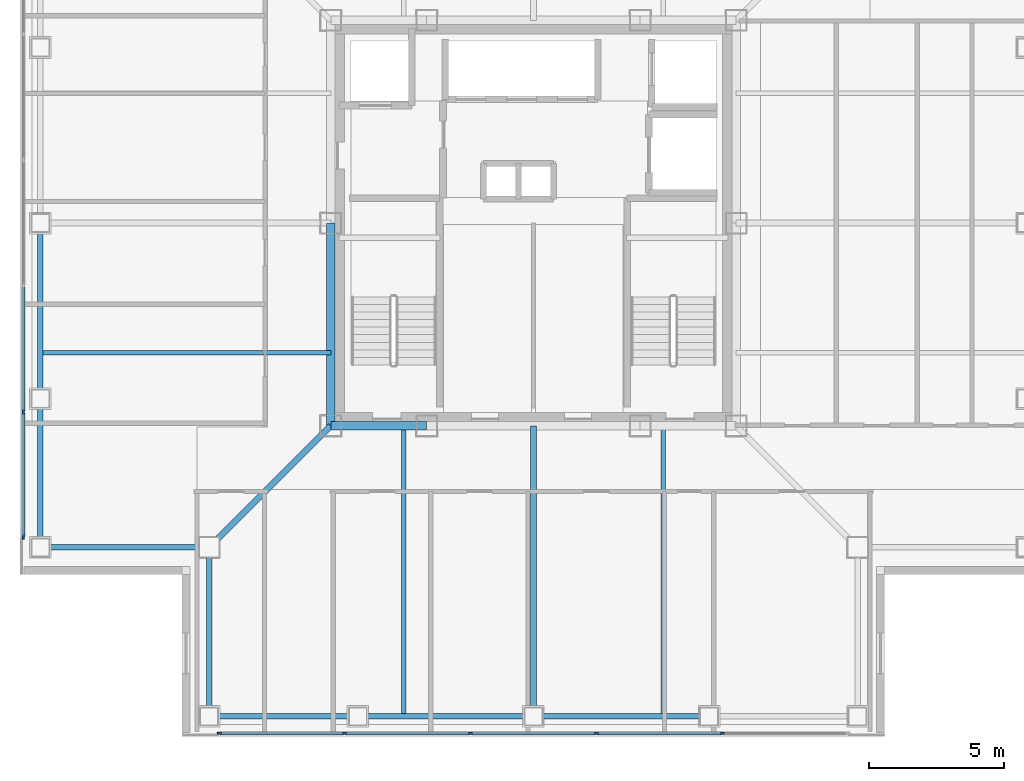
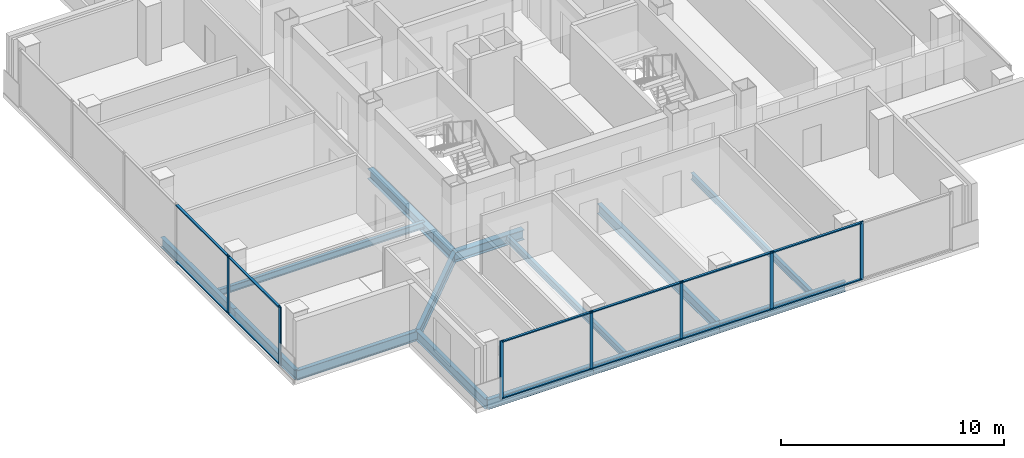
# One storey, part 2 of 16: 19 members, 14 beams, 2 elements without a shape of their own.
"""IFC4 building model written with IfcOpenShell, lengths in metres."""

from ifc_helpers import new_model, si_unit, direction, frame, origin, origin_2d, place, context, subcontext, project, spatial, rectangle, i_section, extrude, material, layer, layer_set, material_profile, profile_set, type_object, element, aggregate, save


model = new_model("IFC4")

# Units and contexts
model_context = context("Model", 3, precision=1e-05, world=origin(), true_north=direction((0.0, 1.0)))
body_context = subcontext(model_context, "Body", "Model", "MODEL_VIEW")
ifc_project = project(units=[si_unit("LENGTHUNIT", "METRE"), si_unit("AREAUNIT", "SQUARE_METRE"), si_unit("VOLUMEUNIT", "CUBIC_METRE"), si_unit("PLANEANGLEUNIT", "RADIAN"), si_unit("MASSUNIT", "GRAM", prefix="KILO")], contexts=[model_context])

# Site, building, storey
site_placement = place(None, origin())
site = spatial("IfcSite", under=ifc_project, at=site_placement, CompositionType="ELEMENT")
building_placement = place(site_placement, origin())
building = spatial("IfcBuilding", under=site, at=building_placement, Name="Trevonay Congress Spire", CompositionType="ELEMENT")
storey_placement = place(building_placement, frame((0.0, 0.0, 297.199951171875)))
storey = spatial("IfcBuildingStorey", under=building, at=storey_placement, Name="L78", CompositionType="ELEMENT", Elevation=297.199951171875)

# Beams
ifc_material_1 = material(Name="Steel ASTM A572 Grade 50", Category="steel")
ifc_material_profile_1 = material_profile(ifc_material_1, i_section(OverallWidth=0.2119140625, OverallDepth=0.5439453125, WebThickness=0.01318359375, FlangeThickness=0.021240234375, FilletRadius=0.014892578125, at=origin_2d()), Name="W530x123")
ifc_profile_set_1 = profile_set([ifc_material_profile_1], Name="Steel ASTM A572 Grade 50")
beam_type_1 = type_object("IfcBeamType", Name="BM-GIRD-W530X123", PredefinedType="BEAM", material=ifc_profile_set_1)
beam_1_placement = place(storey_placement, frame((-7.5, -7.5, -0.511962890625), z_axis=(-0.707106781187, -0.707106781187, 0.0), x_axis=(0.707106781187, -0.707106781187, 0.0)))
element("IfcBeam", 1, at=beam_1_placement, inside=storey, type_object=beam_type_1, Name="L78 structural beam BM-L78-CDSW", PredefinedType="BEAM", context=body_context, shape_type="SweptSolid", body=[
    extrude(i_section(OverallWidth=0.2119140625, OverallDepth=0.5439453125, WebThickness=0.01318359375, FlangeThickness=0.021240234375, FilletRadius=0.014892578125, at=origin_2d()), origin(), (0.0, 0.0, 1.0), 6.364013671875),
])
beam_2_placement = place(storey_placement, frame((0.0, -7.5, -0.511962890625), z_axis=(0.0, -1.0, 0.0), x_axis=(1.0, 0.0, 0.0)))
element("IfcBeam", 2, at=beam_2_placement, inside=storey, type_object=beam_type_1, Name="L78 structural beam BM-L78-GC-S", PredefinedType="BEAM", context=body_context, shape_type="SweptSolid", body=[
    extrude(i_section(OverallWidth=0.2119140625, OverallDepth=0.5439453125, WebThickness=0.01318359375, FlangeThickness=0.021240234375, FilletRadius=0.014892578125, at=origin_2d()), origin(), (0.0, 0.0, 1.0), 10.75),
])
ifc_material_profile_2 = material_profile(ifc_material_1, i_section(OverallWidth=0.31201171875, OverallDepth=0.54296875, WebThickness=0.0126953125, FlangeThickness=0.020263671875, FilletRadius=0.014892578125, at=origin_2d()), Name="W530x150")
ifc_profile_set_2 = profile_set([ifc_material_profile_2], Name="Steel ASTM A572 Grade 50")
beam_type_2 = type_object("IfcBeamType", Name="BM-GIRD-W530X150", PredefinedType="BEAM", material=ifc_profile_set_2)
beam_3_placement = place(storey_placement, frame((-7.5, -7.5, -0.511474609375), z_axis=(1.0, 0.0, 0.0), x_axis=(0.0, 1.0, 0.0)))
element("IfcBeam", 3, at=beam_3_placement, inside=storey, type_object=beam_type_2, Name="L78 structural beam BM-L78-CR-S1", PredefinedType="BEAM", context=body_context, shape_type="SweptSolid", body=[
    extrude(i_section(OverallWidth=0.31201171875, OverallDepth=0.54296875, WebThickness=0.0126953125, FlangeThickness=0.020263671875, FilletRadius=0.014892578125, at=origin_2d()), origin(), (0.0, 0.0, 1.0), 3.550048828125),
])
beam_4_placement = place(storey_placement, frame((-7.5, -7.5, -0.511474609375), z_axis=(0.0, 1.0, 0.0), x_axis=(-1.0, 0.0, 0.0)))
element("IfcBeam", 4, at=beam_4_placement, inside=storey, type_object=beam_type_2, Name="L78 structural beam BM-L78-CR-W1", PredefinedType="BEAM", context=body_context, shape_type="SweptSolid", body=[
    extrude(i_section(OverallWidth=0.31201171875, OverallDepth=0.54296875, WebThickness=0.0126953125, FlangeThickness=0.020263671875, FilletRadius=0.014892578125, at=origin_2d()), origin(), (0.0, 0.0, 1.0), 7.5),
])
ifc_material_profile_3 = material_profile(ifc_material_1, i_section(OverallWidth=0.208984375, OverallDepth=0.532958984375, WebThickness=0.01025390625, FlangeThickness=0.015625, FilletRadius=0.014892578125, at=origin_2d()), Name="W530x92")
ifc_profile_set_3 = profile_set([ifc_material_profile_3], Name="Steel ASTM A572 Grade 50")
beam_type_3 = type_object("IfcBeamType", Name="BM-RING-W530X92", PredefinedType="BEAM", material=ifc_profile_set_3)
for number, where, z_axis, x_axis, name in (
    (5, (-12.0, -18.25, -0.50634765625), (1.0, 0.0, 0.0), (0.0, 1.0, 0.0), "L78 structural beam BM-L78-PS1"),
    (6, (-18.25, -12.0, -0.50634765625), (0.0, 1.0, 0.0), (-1.0, 0.0, 0.0), "L78 structural beam BM-L78-PW1"),
):
    element("IfcBeam", number, at=place(storey_placement, frame(where, z_axis=z_axis, x_axis=x_axis)), inside=storey, type_object=beam_type_3, Name=name, PredefinedType="BEAM", context=body_context, shape_type="SweptSolid", body=[
        extrude(i_section(OverallWidth=0.208984375, OverallDepth=0.532958984375, WebThickness=0.01025390625, FlangeThickness=0.015625, FilletRadius=0.014892578125, at=origin_2d()), origin(), (0.0, 0.0, 1.0), 5.5),
    ])
for number, where, z_axis, x_axis, name in (
    (7, (-6.5, -18.25, -0.50634765625), (1.0, 0.0, 0.0), (0.0, 1.0, 0.0), "L78 structural beam BM-L78-PS2"),
    (8, (-18.25, -6.5, -0.50634765625), (0.0, 1.0, 0.0), (-1.0, 0.0, 0.0), "L78 structural beam BM-L78-PW2"),
    (9, (0.0, -18.25, -0.50634765625), (1.0, 0.0, 0.0), (0.0, 1.0, 0.0), "L78 structural beam BM-L78-PS3"),
):
    element("IfcBeam", number, at=place(storey_placement, frame(where, z_axis=z_axis, x_axis=x_axis)), inside=storey, type_object=beam_type_3, Name=name, PredefinedType="BEAM", context=body_context, shape_type="SweptSolid", body=[
        extrude(i_section(OverallWidth=0.208984375, OverallDepth=0.532958984375, WebThickness=0.01025390625, FlangeThickness=0.015625, FilletRadius=0.014892578125, at=origin_2d()), origin(), (0.0, 0.0, 1.0), 6.5),
    ])
for number, where, z_axis, x_axis, name in (
    (10, (-12.0, -18.25, -0.50634765625), (0.0, 1.0, 0.0), (-1.0, 0.0, 0.0), "L78 structural beam BM-L78-N1SW"),
    (11, (-18.25, -12.0, -0.50634765625), (1.0, 0.0, 0.0), (0.0, 1.0, 0.0), "L78 structural beam BM-L78-N2SW"),
):
    element("IfcBeam", number, at=place(storey_placement, frame(where, z_axis=z_axis, x_axis=x_axis)), inside=storey, type_object=beam_type_3, Name=name, PredefinedType="BEAM", context=body_context, shape_type="SweptSolid", body=[
        extrude(i_section(OverallWidth=0.208984375, OverallDepth=0.532958984375, WebThickness=0.01025390625, FlangeThickness=0.015625, FilletRadius=0.014892578125, at=origin_2d()), origin(), (0.0, 0.0, 1.0), 6.25),
    ])

# Curtain wall, members
ifc_material_2 = material(Name="Pale Anodised Aluminium EN AW-6063-T6", Category="aluminium")
ifc_layer = layer(ifc_material_2, 0.1650390625, Name="Pale Anodised Aluminium EN AW-6063-T6")
ifc_layer_set = layer_set([ifc_layer], Name="Pale Anodised Aluminium EN AW-6063-T6")
curtain_wall_type = type_object("IfcCurtainWallType", Name="CW-SYS05-DIPLOM-PALE-METAL", PredefinedType="NOTDEFINED", material=ifc_layer_set)
curtain_wall_1_placement = place(storey_placement, origin())
curtain_wall_1 = element("IfcCurtainWall", 12, at=curtain_wall_1_placement, inside=storey, type_object=curtain_wall_type, Name="L78 S unitised curtain wall", PredefinedType="NOTDEFINED")
ifc_material_profile_4 = material_profile(ifc_material_2, rectangle(XDim=0.06005859375, YDim=0.159912109375, at=origin_2d()), Name="CW-MULLION-160-ALUMINIUM")
ifc_profile_set_4 = profile_set([ifc_material_profile_4], Name="Pale Anodised Aluminium EN AW-6063-T6")
member_type_1 = type_object("IfcMemberType", Name="CW-MULLION-160-ALUMINIUM", PredefinedType="MULLION", material=ifc_profile_set_4)
member_1_placement = place(storey_placement, frame((-11.6201171875, -18.8798828125, 0.0), z_axis=(0.0, 0.0, 1.0), x_axis=(0.0, 1.0, 0.0)))
member_1 = element("IfcMember", 13, at=member_1_placement, type_object=member_type_1, Name="CW05 mullion 1", PredefinedType="MULLION", context=body_context, shape_type="SweptSolid", body=[
    extrude(rectangle(XDim=0.06005859375, YDim=0.159912109375, at=origin_2d()), origin(), (0.0, 0.0, 1.0), 3.199951171875),
])
member_2_placement = place(storey_placement, frame((-6.989990234375, -18.8798828125, 0.0), z_axis=(0.0, 0.0, 1.0), x_axis=(0.0, 1.0, 0.0)))
member_2 = element("IfcMember", 14, at=member_2_placement, type_object=member_type_1, Name="CW05 mullion 2", PredefinedType="MULLION", context=body_context, shape_type="SweptSolid", body=[
    extrude(rectangle(XDim=0.06005859375, YDim=0.159912109375, at=origin_2d()), origin(), (0.0, 0.0, 1.0), 3.199951171875),
])
member_3_placement = place(storey_placement, frame((-2.330078125, -18.8798828125, 0.0), z_axis=(0.0, 0.0, 1.0), x_axis=(0.0, 1.0, 0.0)))
member_3 = element("IfcMember", 15, at=member_3_placement, type_object=member_type_1, Name="CW05 mullion 3", PredefinedType="MULLION", context=body_context, shape_type="SweptSolid", body=[
    extrude(rectangle(XDim=0.06005859375, YDim=0.159912109375, at=origin_2d()), origin(), (0.0, 0.0, 1.0), 3.199951171875),
])
member_4_placement = place(storey_placement, frame((2.330078125, -18.8798828125, 0.0), z_axis=(0.0, 0.0, 1.0), x_axis=(0.0, 1.0, 0.0)))
member_4 = element("IfcMember", 16, at=member_4_placement, type_object=member_type_1, Name="CW05 mullion 4", PredefinedType="MULLION", context=body_context, shape_type="SweptSolid", body=[
    extrude(rectangle(XDim=0.06005859375, YDim=0.159912109375, at=origin_2d()), origin(), (0.0, 0.0, 1.0), 3.199951171875),
])
member_5_placement = place(storey_placement, frame((6.989990234375, -18.8798828125, 0.0), z_axis=(0.0, 0.0, 1.0), x_axis=(0.0, 1.0, 0.0)))
member_5 = element("IfcMember", 17, at=member_5_placement, type_object=member_type_1, Name="CW05 mullion 5", PredefinedType="MULLION", context=body_context, shape_type="SweptSolid", body=[
    extrude(rectangle(XDim=0.06005859375, YDim=0.159912109375, at=origin_2d()), origin(), (0.0, 0.0, 1.0), 3.199951171875),
])

curtain_wall_2_placement = place(storey_placement, origin())
curtain_wall_2 = element("IfcCurtainWall", 18, at=curtain_wall_2_placement, inside=storey, type_object=curtain_wall_type, Name="L78 W unitised curtain wall", PredefinedType="NOTDEFINED")
member_6_placement = place(storey_placement, frame((-18.8798828125, -11.6201171875, 0.0), z_axis=(0.0, 0.0, 1.0), x_axis=(-1.0, 0.0, 0.0)))
member_6 = element("IfcMember", 19, at=member_6_placement, type_object=member_type_1, Name="CW05 mullion 1", PredefinedType="MULLION", context=body_context, shape_type="SweptSolid", body=[
    extrude(rectangle(XDim=0.06005859375, YDim=0.159912109375, at=origin_2d()), origin(), (0.0, 0.0, 1.0), 3.199951171875),
])
member_7_placement = place(storey_placement, frame((-18.8798828125, -6.989990234375, 0.0), z_axis=(0.0, 0.0, 1.0), x_axis=(-1.0, 0.0, 0.0)))
member_7 = element("IfcMember", 20, at=member_7_placement, type_object=member_type_1, Name="CW05 mullion 2", PredefinedType="MULLION", context=body_context, shape_type="SweptSolid", body=[
    extrude(rectangle(XDim=0.06005859375, YDim=0.159912109375, at=origin_2d()), origin(), (0.0, 0.0, 1.0), 3.199951171875),
])

# Member
ifc_material_profile_5 = material_profile(ifc_material_2, rectangle(XDim=0.1201171875, YDim=0.06005859375, at=origin_2d()), Name="CW-TRANSOM-120-ALUMINIUM")
ifc_profile_set_5 = profile_set([ifc_material_profile_5], Name="Pale Anodised Aluminium EN AW-6063-T6")
member_type_2 = type_object("IfcMemberType", Name="CW-TRANSOM-120-ALUMINIUM", PredefinedType="USERDEFINED", material=ifc_profile_set_5)
member_8_placement = place(storey_placement, frame((-11.590087890625, -18.8798828125, 0.06005859375), z_axis=(1.0, 0.0, 0.0), x_axis=(0.0, 1.0, 0.0)))
member_8 = element("IfcMember", 21, at=member_8_placement, type_object=member_type_2, Name="CW05 transom 1.1", ObjectType="TRANSOM", PredefinedType="USERDEFINED", context=body_context, shape_type="SweptSolid", body=[
    extrude(rectangle(XDim=0.1201171875, YDim=0.06005859375, at=origin_2d()), origin(), (0.0, 0.0, 1.0), 4.570068359375),
])

member_9_placement = place(storey_placement, frame((-11.590087890625, -18.8798828125, 3.14013671875), z_axis=(1.0, 0.0, 0.0), x_axis=(0.0, 1.0, 0.0)))
member_9 = element("IfcMember", 22, at=member_9_placement, type_object=member_type_2, Name="CW05 transom 1.2", ObjectType="TRANSOM", PredefinedType="USERDEFINED", context=body_context, shape_type="SweptSolid", body=[
    extrude(rectangle(XDim=0.1201171875, YDim=0.06005859375, at=origin_2d()), origin(), (0.0, 0.0, 1.0), 4.570068359375),
])

member_10_placement = place(storey_placement, frame((-6.9599609375, -18.8798828125, 0.06005859375), z_axis=(1.0, 0.0, 0.0), x_axis=(0.0, 1.0, 0.0)))
member_10 = element("IfcMember", 23, at=member_10_placement, type_object=member_type_2, Name="CW05 transom 2.1", ObjectType="TRANSOM", PredefinedType="USERDEFINED", context=body_context, shape_type="SweptSolid", body=[
    extrude(rectangle(XDim=0.1201171875, YDim=0.06005859375, at=origin_2d()), origin(), (0.0, 0.0, 1.0), 4.599853515625),
])

member_11_placement = place(storey_placement, frame((-6.9599609375, -18.8798828125, 3.14013671875), z_axis=(1.0, 0.0, 0.0), x_axis=(0.0, 1.0, 0.0)))
member_11 = element("IfcMember", 24, at=member_11_placement, type_object=member_type_2, Name="CW05 transom 2.2", ObjectType="TRANSOM", PredefinedType="USERDEFINED", context=body_context, shape_type="SweptSolid", body=[
    extrude(rectangle(XDim=0.1201171875, YDim=0.06005859375, at=origin_2d()), origin(), (0.0, 0.0, 1.0), 4.599853515625),
])

member_12_placement = place(storey_placement, frame((-2.300048828125, -18.8798828125, 0.06005859375), z_axis=(1.0, 0.0, 0.0), x_axis=(0.0, 1.0, 0.0)))
member_12 = element("IfcMember", 25, at=member_12_placement, type_object=member_type_2, Name="CW05 transom 3.1", ObjectType="TRANSOM", PredefinedType="USERDEFINED", context=body_context, shape_type="SweptSolid", body=[
    extrude(rectangle(XDim=0.1201171875, YDim=0.06005859375, at=origin_2d()), origin(), (0.0, 0.0, 1.0), 4.60009765625),
])

member_13_placement = place(storey_placement, frame((-2.300048828125, -18.8798828125, 3.14013671875), z_axis=(1.0, 0.0, 0.0), x_axis=(0.0, 1.0, 0.0)))
member_13 = element("IfcMember", 26, at=member_13_placement, type_object=member_type_2, Name="CW05 transom 3.2", ObjectType="TRANSOM", PredefinedType="USERDEFINED", context=body_context, shape_type="SweptSolid", body=[
    extrude(rectangle(XDim=0.1201171875, YDim=0.06005859375, at=origin_2d()), origin(), (0.0, 0.0, 1.0), 4.60009765625),
])

member_14_placement = place(storey_placement, frame((2.360107421875, -18.8798828125, 0.06005859375), z_axis=(1.0, 0.0, 0.0), x_axis=(0.0, 1.0, 0.0)))
member_14 = element("IfcMember", 27, at=member_14_placement, type_object=member_type_2, Name="CW05 transom 4.1", ObjectType="TRANSOM", PredefinedType="USERDEFINED", context=body_context, shape_type="SweptSolid", body=[
    extrude(rectangle(XDim=0.1201171875, YDim=0.06005859375, at=origin_2d()), origin(), (0.0, 0.0, 1.0), 4.599853515625),
])

member_15_placement = place(storey_placement, frame((2.360107421875, -18.8798828125, 3.14013671875), z_axis=(1.0, 0.0, 0.0), x_axis=(0.0, 1.0, 0.0)))
member_15 = element("IfcMember", 28, at=member_15_placement, type_object=member_type_2, Name="CW05 transom 4.2", ObjectType="TRANSOM", PredefinedType="USERDEFINED", context=body_context, shape_type="SweptSolid", body=[
    extrude(rectangle(XDim=0.1201171875, YDim=0.06005859375, at=origin_2d()), origin(), (0.0, 0.0, 1.0), 4.599853515625),
])

aggregate(curtain_wall_1, [member_1, member_2, member_3, member_4, member_5, member_8, member_9, member_10, member_11, member_12, member_13, member_14, member_15])

member_16_placement = place(storey_placement, frame((-18.8798828125, -11.590087890625, 0.06005859375), z_axis=(0.0, 1.0, 0.0), x_axis=(-1.0, 0.0, 0.0)))
member_16 = element("IfcMember", 29, at=member_16_placement, type_object=member_type_2, Name="CW05 transom 1.1", ObjectType="TRANSOM", PredefinedType="USERDEFINED", context=body_context, shape_type="SweptSolid", body=[
    extrude(rectangle(XDim=0.1201171875, YDim=0.06005859375, at=origin_2d()), origin(), (0.0, 0.0, 1.0), 4.570068359375),
])

member_17_placement = place(storey_placement, frame((-18.8798828125, -11.590087890625, 3.14013671875), z_axis=(0.0, 1.0, 0.0), x_axis=(-1.0, 0.0, 0.0)))
member_17 = element("IfcMember", 30, at=member_17_placement, type_object=member_type_2, Name="CW05 transom 1.2", ObjectType="TRANSOM", PredefinedType="USERDEFINED", context=body_context, shape_type="SweptSolid", body=[
    extrude(rectangle(XDim=0.1201171875, YDim=0.06005859375, at=origin_2d()), origin(), (0.0, 0.0, 1.0), 4.570068359375),
])

member_18_placement = place(storey_placement, frame((-18.8798828125, -6.9599609375, 0.06005859375), z_axis=(0.0, 1.0, 0.0), x_axis=(-1.0, 0.0, 0.0)))
member_18 = element("IfcMember", 31, at=member_18_placement, type_object=member_type_2, Name="CW05 transom 2.1", ObjectType="TRANSOM", PredefinedType="USERDEFINED", context=body_context, shape_type="SweptSolid", body=[
    extrude(rectangle(XDim=0.1201171875, YDim=0.06005859375, at=origin_2d()), origin(), (0.0, 0.0, 1.0), 4.599853515625),
])

member_19_placement = place(storey_placement, frame((-18.8798828125, -6.9599609375, 3.14013671875), z_axis=(0.0, 1.0, 0.0), x_axis=(-1.0, 0.0, 0.0)))
member_19 = element("IfcMember", 32, at=member_19_placement, type_object=member_type_2, Name="CW05 transom 2.2", ObjectType="TRANSOM", PredefinedType="USERDEFINED", context=body_context, shape_type="SweptSolid", body=[
    extrude(rectangle(XDim=0.1201171875, YDim=0.06005859375, at=origin_2d()), origin(), (0.0, 0.0, 1.0), 4.599853515625),
])

aggregate(curtain_wall_2, [member_6, member_7, member_16, member_17, member_18, member_19])

# Beams
ifc_material_profile_6 = material_profile(ifc_material_1, i_section(OverallWidth=0.172119140625, OverallDepth=0.35791015625, WebThickness=0.0078125, FlangeThickness=0.01318359375, FilletRadius=0.011962890625, at=origin_2d()), Name="W360x57.8")
ifc_profile_set_6 = profile_set([ifc_material_profile_6], Name="Steel ASTM A572 Grade 50")
beam_type_4 = type_object("IfcBeamType", Name="JS-COMP-W360X57", PredefinedType="JOIST", material=ifc_profile_set_6)
for number, where, z_axis, x_axis, name in (
    (33, (-4.800048828125, -18.25, -0.4189453125), (0.0, 1.0, 0.0), (-1.0, 0.0, 0.0), "L78 structural beam JS-L78-NS-S1"),
    (34, (-18.25, -4.800048828125, -0.4189453125), (1.0, 0.0, 0.0), (0.0, 1.0, 0.0), "L78 structural beam JS-L78-EW-W1"),
    (35, (4.800048828125, -18.25, -0.4189453125), (0.0, 1.0, 0.0), (-1.0, 0.0, 0.0), "L78 structural beam JS-L78-NS-S3"),
):
    element("IfcBeam", number, at=place(storey_placement, frame(where, z_axis=z_axis, x_axis=x_axis)), inside=storey, type_object=beam_type_4, Name=name, PredefinedType="JOIST", context=body_context, shape_type="SweptSolid", body=[
        extrude(i_section(OverallWidth=0.172119140625, OverallDepth=0.35791015625, WebThickness=0.0078125, FlangeThickness=0.01318359375, FilletRadius=0.011962890625, at=origin_2d()), origin(), (0.0, 0.0, 1.0), 10.75),
    ])

save(model, "model.ifc")
